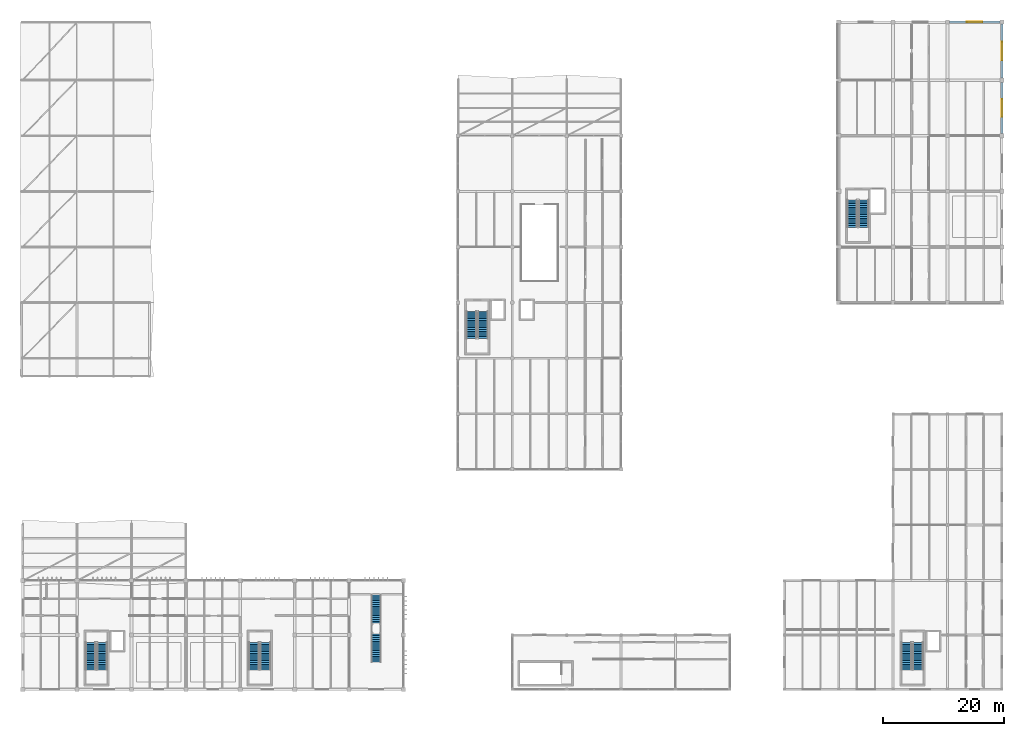
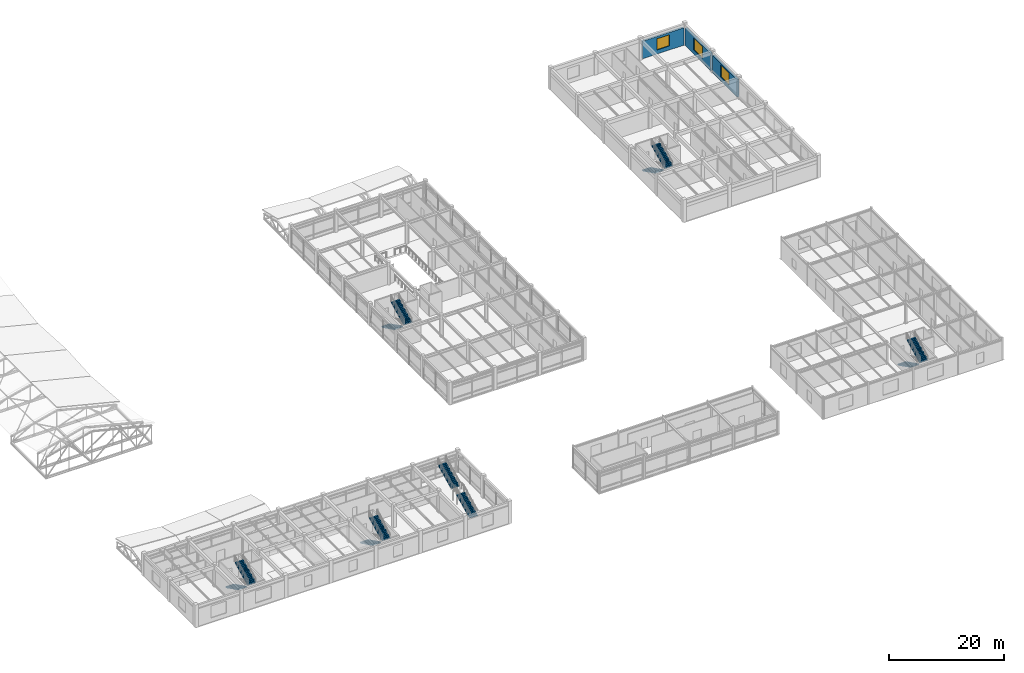
# One storey, part 52 of 61: 12 stair flights, 3 walls, 3 windows, 3 openings, 6 elements without a shape of their own.
"""IFC4 building model written with IfcOpenShell, lengths in metres."""

from ifc_helpers import new_model, si_unit, direction, frame, frame_2d, origin, place, context, subcontext, project, spatial, polyline, rectangle, outline, extrude, material, layer, layer_set, type_object, element, fill, aggregate, save


model = new_model("IFC4")

# Units and contexts
model_context = context("Model", 3, precision=1e-05, world=origin(), true_north=direction((0.0, 1.0)))
body_context = subcontext(model_context, "Body", "Model", "MODEL_VIEW")
ifc_project = project(units=[si_unit("LENGTHUNIT", "METRE"), si_unit("AREAUNIT", "SQUARE_METRE"), si_unit("VOLUMEUNIT", "CUBIC_METRE"), si_unit("PLANEANGLEUNIT", "RADIAN"), si_unit("MASSUNIT", "GRAM", prefix="KILO")], contexts=[model_context])

# Site, building, storey
site_placement = place(None, origin())
site = spatial("IfcSite", under=ifc_project, at=site_placement, CompositionType="ELEMENT")
building_placement = place(site_placement, origin())
building = spatial("IfcBuilding", under=site, at=building_placement, Name="Bozkorgan Art Gallery", CompositionType="ELEMENT")
storey_placement = place(building_placement, frame((0.0, 0.0, 10.199951171875)))
storey = spatial("IfcBuildingStorey", under=building, at=storey_placement, Name="L02", CompositionType="ELEMENT", Elevation=10.199951171875)

# Wall, opening, window
ifc_material_1 = material(Name="Pressed Terracotta Brick Masonry", Category="masonry")
ifc_layer = layer(ifc_material_1, 0.360107421875, Name="Pressed Terracotta Brick Masonry")
ifc_layer_set = layer_set([ifc_layer], Name="Pressed Terracotta Brick Masonry")
wall_type = type_object("IfcWallType", Name="WALL-WB-99", PredefinedType="STANDARD", material=ifc_layer_set)
wall_1_placement = place(storey_placement, frame((155.35009765625, 112.39990234375, 0.0), z_axis=(0.0, 0.0, 1.0), x_axis=(1.0, 0.0, 0.0)))
wall_1 = element("IfcWall", 1, at=wall_1_placement, inside=storey, type_object=wall_type, Name="V5 L02 exterior facade wall 1N-6", PredefinedType="STANDARD", context=body_context, shape_type="SweptSolid", body=[
    extrude(rectangle(XDim=8.2998046875, YDim=0.360107421875, at=frame_2d((4.14990234375, 0.0))), origin(), (0.0, 0.0, 1.0), 3.715087890625),
])
opening_1_placement = place(wall_1_placement, frame((2.875, 0.0, 0.85009765625)))
opening_1 = element("IfcOpeningElement", 2, at=opening_1_placement, cuts=wall_1, Name="Opening WN-23", PredefinedType="OPENING", context=body_context, shape_type="SweptSolid", body=[
    extrude(rectangle(XDim=2.550048828125, YDim=2.39990234375, at=frame_2d((1.27490234375, 1.199951171875))), frame((0.0, 0.18994140625, 0.0), z_axis=(0.0, -1.0, 0.0), x_axis=(1.0, 0.0, 0.0)), (0.0, 0.0, 1.0), 0.380126953125),
])
ifc_material_2 = material(Name="Triple Low-E Laminated Glass", Category="glass")
window_type_1 = type_object("IfcWindowType", Name="WIN-WN-23", PartitioningType="SINGLE_PANEL", PredefinedType="WINDOW", material=ifc_material_2)
window_1_placement = place(opening_1_placement, origin())
window_1 = element("IfcWindow", 3, at=window_1_placement, inside=storey, type_object=window_type_1, Name="V5 L02 gallery window 1N-6", OverallHeight=2.39990234375, OverallWidth=2.550048828125, PartitioningType="SINGLE_PANEL", PredefinedType="WINDOW", context=body_context, shape_type="SweptSolid", body=[
    extrude(rectangle(XDim=2.550048828125, YDim=2.39990234375, at=frame_2d((1.27490234375, 1.199951171875))), frame((0.0, 0.030029296875, 0.0), z_axis=(0.0, -1.0, 0.0), x_axis=(1.0, 0.0, 0.0)), (0.0, 0.0, 1.0), 0.06005859375),
])
fill(opening_1, window_1)

wall_2_placement = place(storey_placement, frame((164.0, 93.949951171875, 0.0), z_axis=(0.0, 0.0, 1.0), x_axis=(0.0, 1.0, 0.0)))
wall_2 = element("IfcWall", 4, at=wall_2_placement, inside=storey, type_object=wall_type, Name="V5 L02 exterior facade wall 1E-14", PredefinedType="STANDARD", context=body_context, shape_type="SweptSolid", body=[
    extrude(rectangle(XDim=8.5, YDim=0.360107421875, at=frame_2d((4.25, 0.0))), origin(), (0.0, 0.0, 1.0), 3.715087890625),
])
opening_2_placement = place(wall_2_placement, frame((5.724853515625, 0.0, 0.85009765625), z_axis=(0.0, 0.0, 1.0), x_axis=(-1.0, 0.0, 0.0)))
opening_2 = element("IfcOpeningElement", 5, at=opening_2_placement, cuts=wall_2, Name="Opening WN-40", PredefinedType="OPENING", context=body_context, shape_type="SweptSolid", body=[
    extrude(rectangle(XDim=2.949951171875, YDim=2.5, at=frame_2d((1.47509765625, 1.25))), frame((0.0, 0.18994140625, 0.0), z_axis=(0.0, -1.0, 0.0), x_axis=(1.0, 0.0, 0.0)), (0.0, 0.0, 1.0), 0.380126953125),
])
window_type_2 = type_object("IfcWindowType", Name="WIN-WN-40", PartitioningType="SINGLE_PANEL", PredefinedType="WINDOW", material=ifc_material_2)
window_2_placement = place(opening_2_placement, origin())
window_2 = element("IfcWindow", 6, at=window_2_placement, inside=storey, type_object=window_type_2, Name="V5 L02 gallery window 1E-14", OverallHeight=2.5, OverallWidth=2.949951171875, PartitioningType="SINGLE_PANEL", PredefinedType="WINDOW", context=body_context, shape_type="SweptSolid", body=[
    extrude(rectangle(XDim=2.949951171875, YDim=2.5, at=frame_2d((1.47509765625, 1.25))), frame((0.0, 0.030029296875, 0.0), z_axis=(0.0, -1.0, 0.0), x_axis=(1.0, 0.0, 0.0)), (0.0, 0.0, 1.0), 0.06005859375),
])
fill(opening_2, window_2)

wall_3_placement = place(storey_placement, frame((164.0, 103.14990234375, 0.0), z_axis=(0.0, 0.0, 1.0), x_axis=(0.0, 1.0, 0.0)))
wall_3 = element("IfcWall", 7, at=wall_3_placement, inside=storey, type_object=wall_type, Name="V5 L02 exterior facade wall 1E-16", PredefinedType="STANDARD", context=body_context, shape_type="SweptSolid", body=[
    extrude(rectangle(XDim=8.900146484375, YDim=0.360107421875, at=frame_2d((4.4501953125, 0.0))), origin(), (0.0, 0.0, 1.0), 3.715087890625),
])
opening_3_placement = place(wall_3_placement, frame((5.97509765625, 0.0, 0.85009765625), z_axis=(0.0, 0.0, 1.0), x_axis=(-1.0, 0.0, 0.0)))
opening_3 = element("IfcOpeningElement", 8, at=opening_3_placement, cuts=wall_3, Name="Opening WN-30", PredefinedType="OPENING", context=body_context, shape_type="SweptSolid", body=[
    extrude(rectangle(XDim=3.050048828125, YDim=2.550048828125, at=frame_2d((1.52490234375, 1.27490234375))), frame((0.0, 0.18994140625, 0.0), z_axis=(0.0, -1.0, 0.0), x_axis=(1.0, 0.0, 0.0)), (0.0, 0.0, 1.0), 0.380126953125),
])
window_type_3 = type_object("IfcWindowType", Name="WIN-WN-30", PartitioningType="SINGLE_PANEL", PredefinedType="WINDOW", material=ifc_material_2)
window_3_placement = place(opening_3_placement, origin())
window_3 = element("IfcWindow", 9, at=window_3_placement, inside=storey, type_object=window_type_3, Name="V5 L02 gallery window 1E-16", OverallHeight=2.550048828125, OverallWidth=3.050048828125, PartitioningType="SINGLE_PANEL", PredefinedType="WINDOW", context=body_context, shape_type="SweptSolid", body=[
    extrude(rectangle(XDim=3.050048828125, YDim=2.550048828125, at=frame_2d((1.52490234375, 1.27490234375))), frame((0.0, 0.030029296875, 0.0), z_axis=(0.0, -1.0, 0.0), x_axis=(1.0, 0.0, 0.0)), (0.0, 0.0, 1.0), 0.06005859375),
])
fill(opening_3, window_3)

# Stair, stair flights
ifc_material_3 = material(Name="Steel S355J2", Category="steel")
stair_type_1 = type_object("IfcStairType", Name="FSTAIR-ST8", PredefinedType="STRAIGHT_RUN_STAIR", material=ifc_material_3)
stair_1_placement = place(storey_placement, origin())
stair_1 = element("IfcStair", 10, at=stair_1_placement, inside=storey, type_object=stair_type_1, Name="ST8 Feature Stair (L02 to L03)", PredefinedType="STRAIGHT_RUN_STAIR")
stair_flight_type_1 = type_object("IfcStairFlightType", Name="FSFLT-ST8", PredefinedType="STRAIGHT", material=ifc_material_3)
stair_flight_1_placement = place(storey_placement, frame((60.5, 6.550048828125, 0.0), z_axis=(0.0, 0.0, 1.0), x_axis=(0.0, 1.0, 0.0)))
stair_flight_1 = element("IfcStairFlight", 11, at=stair_flight_1_placement, type_object=stair_flight_type_1, Name="ST8 lower monumental stair flight", NumberOfRisers=16, NumberOfTreads=15, PredefinedType="STRAIGHT", RiserHeight=0.15, TreadLength=0.31, context=body_context, shape_type="SweptSolid", body=[
    extrude(outline(polyline([(0.0, 0.0), (0.0, 0.14990234375), (0.31005859375, 0.14990234375), (0.31005859375, 0.300048828125), (0.6201171875, 0.300048828125), (0.6201171875, 0.449951171875), (0.929931640625, 0.449951171875), (0.929931640625, 0.60009765625), (1.239990234375, 0.60009765625), (1.239990234375, 0.75), (1.550048828125, 0.75), (1.550048828125, 0.89990234375), (1.860107421875, 0.89990234375), (1.860107421875, 1.050048828125), (2.169921875, 1.050048828125), (2.169921875, 1.199951171875), (2.47998046875, 1.199951171875), (2.47998046875, 1.35009765625), (2.7900390625, 1.35009765625), (2.7900390625, 1.5), (3.10009765625, 1.5), (3.10009765625, 1.64990234375), (3.409912109375, 1.64990234375), (3.409912109375, 1.800048828125), (3.719970703125, 1.800048828125), (3.719970703125, 1.949951171875), (4.030029296875, 1.949951171875), (4.030029296875, 2.10009765625), (4.340087890625, 2.10009765625), (4.340087890625, 2.25), (4.64990234375, 2.25), (4.64990234375, 2.39990234375), (4.64990234375, 2.005615234375), (0.505126953125, 0.0), (0.0, 0.0)])), frame((0.0, 0.800048828125, 0.0), z_axis=(0.0, -1.0, 0.0), x_axis=(1.0, 0.0, 0.0)), (0.0, 0.0, 1.0), 1.60009765625),
])
stair_flight_2_placement = place(storey_placement, frame((60.5, 12.949951171875, 2.400146484375), z_axis=(0.0, 0.0, 1.0), x_axis=(0.0, 1.0, 0.0)))
stair_flight_2 = element("IfcStairFlight", 12, at=stair_flight_2_placement, type_object=stair_flight_type_1, Name="ST8 upper monumental stair flight", NumberOfRisers=16, NumberOfTreads=15, PredefinedType="STRAIGHT", RiserHeight=0.15, TreadLength=0.31, context=body_context, shape_type="SweptSolid", body=[
    extrude(outline(polyline([(0.0, 0.0), (0.0, 0.14990234375), (0.31005859375, 0.14990234375), (0.31005859375, 0.300048828125), (0.6201171875, 0.300048828125), (0.6201171875, 0.449951171875), (0.929931640625, 0.449951171875), (0.929931640625, 0.60009765625), (1.239990234375, 0.60009765625), (1.239990234375, 0.75), (1.550048828125, 0.75), (1.550048828125, 0.89990234375), (1.860107421875, 0.89990234375), (1.860107421875, 1.050048828125), (2.169921875, 1.050048828125), (2.169921875, 1.199951171875), (2.47998046875, 1.199951171875), (2.47998046875, 1.35009765625), (2.7900390625, 1.35009765625), (2.7900390625, 1.5), (3.10009765625, 1.5), (3.10009765625, 1.64990234375), (3.409912109375, 1.64990234375), (3.409912109375, 1.800048828125), (3.719970703125, 1.800048828125), (3.719970703125, 1.949951171875), (4.030029296875, 1.949951171875), (4.030029296875, 2.10009765625), (4.340087890625, 2.10009765625), (4.340087890625, 2.25), (4.64990234375, 2.25), (4.64990234375, 2.39990234375), (4.64990234375, 2.005615234375), (0.505126953125, 0.0), (0.0, 0.0)])), frame((0.0, 0.800048828125, 0.0), z_axis=(0.0, -1.0, 0.0), x_axis=(1.0, 0.0, 0.0)), (0.0, 0.0, 1.0), 1.60009765625),
])
aggregate(stair_1, [stair_flight_1, stair_flight_2])

ifc_material_4 = material(Name="Concrete C35/45", Category="concrete")
stair_type_2 = type_object("IfcStairType", Name="STAIR-CORE1", PredefinedType="HALF_TURN_STAIR", material=ifc_material_4)
stair_2_placement = place(storey_placement, origin())
stair_2 = element("IfcStair", 13, at=stair_2_placement, inside=storey, type_object=stair_type_2, Name="L02 ST1 Core Stair", PredefinedType="HALF_TURN_STAIR")
stair_flight_type_2 = type_object("IfcStairFlightType", Name="SFLT-CORE1", PredefinedType="STRAIGHT", material=ifc_material_4)
stair_flight_3_placement = place(storey_placement, frame((13.25, 9.75, 0.0), z_axis=(0.0, 0.0, 1.0), x_axis=(0.0, -1.0, 0.0)))
stair_flight_3 = element("IfcStairFlight", 14, at=stair_flight_3_placement, type_object=stair_flight_type_2, Name="ST1 flight 1", NumberOfRisers=16, NumberOfTreads=15, PredefinedType="STRAIGHT", RiserHeight=0.15, TreadLength=0.3, context=body_context, shape_type="SweptSolid", body=[
    extrude(outline(polyline([(0.0, 0.0), (0.0, 0.14990234375), (0.300048828125, 0.14990234375), (0.300048828125, 0.300048828125), (0.60009765625, 0.300048828125), (0.60009765625, 0.449951171875), (0.89990234375, 0.449951171875), (0.89990234375, 0.60009765625), (1.199951171875, 0.60009765625), (1.199951171875, 0.75), (1.5, 0.75), (1.5, 0.89990234375), (1.800048828125, 0.89990234375), (1.800048828125, 1.050048828125), (2.10009765625, 1.050048828125), (2.10009765625, 1.199951171875), (2.39990234375, 1.199951171875), (2.39990234375, 1.35009765625), (2.699951171875, 1.35009765625), (2.699951171875, 1.5), (3.0, 1.5), (3.0, 1.64990234375), (3.300048828125, 1.64990234375), (3.300048828125, 1.800048828125), (3.60009765625, 1.800048828125), (3.60009765625, 1.949951171875), (3.89990234375, 1.949951171875), (3.89990234375, 2.10009765625), (4.199951171875, 2.10009765625), (4.199951171875, 2.25), (4.5, 2.25), (4.5, 2.39990234375), (4.5, 2.08251953125), (0.335205078125, 0.0), (0.0, 0.0)])), frame((0.0, 0.85009765625, 0.0), z_axis=(0.0, -1.0, 0.0), x_axis=(1.0, 0.0, 0.0)), (0.0, 0.0, 1.0), 1.699951171875),
])
stair_flight_4_placement = place(storey_placement, frame((15.14990234375, 5.25, 2.400146484375), z_axis=(0.0, 0.0, 1.0), x_axis=(0.0, 1.0, 0.0)))
stair_flight_4 = element("IfcStairFlight", 15, at=stair_flight_4_placement, type_object=stair_flight_type_2, Name="ST1 flight 2", NumberOfRisers=16, NumberOfTreads=15, PredefinedType="STRAIGHT", RiserHeight=0.15, TreadLength=0.3, context=body_context, shape_type="SweptSolid", body=[
    extrude(outline(polyline([(0.0, 0.0), (0.0, 0.14990234375), (0.300048828125, 0.14990234375), (0.300048828125, 0.300048828125), (0.60009765625, 0.300048828125), (0.60009765625, 0.449951171875), (0.89990234375, 0.449951171875), (0.89990234375, 0.60009765625), (1.199951171875, 0.60009765625), (1.199951171875, 0.75), (1.5, 0.75), (1.5, 0.89990234375), (1.800048828125, 0.89990234375), (1.800048828125, 1.050048828125), (2.10009765625, 1.050048828125), (2.10009765625, 1.199951171875), (2.39990234375, 1.199951171875), (2.39990234375, 1.35009765625), (2.699951171875, 1.35009765625), (2.699951171875, 1.5), (3.0, 1.5), (3.0, 1.64990234375), (3.300048828125, 1.64990234375), (3.300048828125, 1.800048828125), (3.60009765625, 1.800048828125), (3.60009765625, 1.949951171875), (3.89990234375, 1.949951171875), (3.89990234375, 2.10009765625), (4.199951171875, 2.10009765625), (4.199951171875, 2.25), (4.5, 2.25), (4.5, 2.39990234375), (4.5, 2.08251953125), (0.335205078125, 0.0), (0.0, 0.0)])), frame((0.0, 0.85009765625, 0.0), z_axis=(0.0, -1.0, 0.0), x_axis=(1.0, 0.0, 0.0)), (0.0, 0.0, 1.0), 1.699951171875),
])
aggregate(stair_2, [stair_flight_3, stair_flight_4])

stair_type_3 = type_object("IfcStairType", Name="STAIR-CORE2", PredefinedType="HALF_TURN_STAIR", material=ifc_material_4)
stair_3_placement = place(storey_placement, origin())
stair_3 = element("IfcStair", 16, at=stair_3_placement, inside=storey, type_object=stair_type_3, Name="L02 ST2 Core Stair", PredefinedType="HALF_TURN_STAIR")
stair_flight_type_3 = type_object("IfcStairFlightType", Name="SFLT-CORE2", PredefinedType="STRAIGHT", material=ifc_material_4)
stair_flight_5_placement = place(storey_placement, frame((76.25, 64.550048828125, 0.0), z_axis=(0.0, 0.0, 1.0), x_axis=(0.0, -1.0, 0.0)))
stair_flight_5 = element("IfcStairFlight", 17, at=stair_flight_5_placement, type_object=stair_flight_type_3, Name="ST2 flight 1", NumberOfRisers=16, NumberOfTreads=15, PredefinedType="STRAIGHT", RiserHeight=0.15, TreadLength=0.3, context=body_context, shape_type="SweptSolid", body=[
    extrude(outline(polyline([(0.0, 0.0), (0.0, 0.14990234375), (0.300048828125, 0.14990234375), (0.300048828125, 0.300048828125), (0.60009765625, 0.300048828125), (0.60009765625, 0.449951171875), (0.89990234375, 0.449951171875), (0.89990234375, 0.60009765625), (1.199951171875, 0.60009765625), (1.199951171875, 0.75), (1.5, 0.75), (1.5, 0.89990234375), (1.800048828125, 0.89990234375), (1.800048828125, 1.050048828125), (2.10009765625, 1.050048828125), (2.10009765625, 1.199951171875), (2.39990234375, 1.199951171875), (2.39990234375, 1.35009765625), (2.699951171875, 1.35009765625), (2.699951171875, 1.5), (3.0, 1.5), (3.0, 1.64990234375), (3.300048828125, 1.64990234375), (3.300048828125, 1.800048828125), (3.60009765625, 1.800048828125), (3.60009765625, 1.949951171875), (3.89990234375, 1.949951171875), (3.89990234375, 2.10009765625), (4.199951171875, 2.10009765625), (4.199951171875, 2.25), (4.5, 2.25), (4.5, 2.39990234375), (4.5, 2.08251953125), (0.335205078125, 0.0), (0.0, 0.0)])), frame((0.0, 0.85009765625, 0.0), z_axis=(0.0, -1.0, 0.0), x_axis=(1.0, 0.0, 0.0)), (0.0, 0.0, 1.0), 1.699951171875),
])
stair_flight_6_placement = place(storey_placement, frame((78.14990234375, 60.050048828125, 2.400146484375), z_axis=(0.0, 0.0, 1.0), x_axis=(0.0, 1.0, 0.0)))
stair_flight_6 = element("IfcStairFlight", 18, at=stair_flight_6_placement, type_object=stair_flight_type_3, Name="ST2 flight 2", NumberOfRisers=16, NumberOfTreads=15, PredefinedType="STRAIGHT", RiserHeight=0.15, TreadLength=0.3, context=body_context, shape_type="SweptSolid", body=[
    extrude(outline(polyline([(0.0, 0.0), (0.0, 0.14990234375), (0.300048828125, 0.14990234375), (0.300048828125, 0.300048828125), (0.60009765625, 0.300048828125), (0.60009765625, 0.449951171875), (0.89990234375, 0.449951171875), (0.89990234375, 0.60009765625), (1.199951171875, 0.60009765625), (1.199951171875, 0.75), (1.5, 0.75), (1.5, 0.89990234375), (1.800048828125, 0.89990234375), (1.800048828125, 1.050048828125), (2.10009765625, 1.050048828125), (2.10009765625, 1.199951171875), (2.39990234375, 1.199951171875), (2.39990234375, 1.35009765625), (2.699951171875, 1.35009765625), (2.699951171875, 1.5), (3.0, 1.5), (3.0, 1.64990234375), (3.300048828125, 1.64990234375), (3.300048828125, 1.800048828125), (3.60009765625, 1.800048828125), (3.60009765625, 1.949951171875), (3.89990234375, 1.949951171875), (3.89990234375, 2.10009765625), (4.199951171875, 2.10009765625), (4.199951171875, 2.25), (4.5, 2.25), (4.5, 2.39990234375), (4.5, 2.08251953125), (0.335205078125, 0.0), (0.0, 0.0)])), frame((0.0, 0.85009765625, 0.0), z_axis=(0.0, -1.0, 0.0), x_axis=(1.0, 0.0, 0.0)), (0.0, 0.0, 1.0), 1.699951171875),
])
aggregate(stair_3, [stair_flight_5, stair_flight_6])

stair_type_4 = type_object("IfcStairType", Name="STAIR-CORE3", PredefinedType="HALF_TURN_STAIR", material=ifc_material_4)
stair_4_placement = place(storey_placement, origin())
stair_4 = element("IfcStair", 19, at=stair_4_placement, inside=storey, type_object=stair_type_4, Name="L02 ST3 Core Stair", PredefinedType="HALF_TURN_STAIR")
stair_flight_type_4 = type_object("IfcStairFlightType", Name="SFLT-CORE3", PredefinedType="STRAIGHT", material=ifc_material_4)
stair_flight_7_placement = place(storey_placement, frame((139.25, 82.949951171875, 0.0), z_axis=(0.0, 0.0, 1.0), x_axis=(0.0, -1.0, 0.0)))
stair_flight_7 = element("IfcStairFlight", 20, at=stair_flight_7_placement, type_object=stair_flight_type_4, Name="ST3 flight 1", NumberOfRisers=16, NumberOfTreads=15, PredefinedType="STRAIGHT", RiserHeight=0.15, TreadLength=0.3, context=body_context, shape_type="SweptSolid", body=[
    extrude(outline(polyline([(0.0, 0.0), (0.0, 0.14990234375), (0.300048828125, 0.14990234375), (0.300048828125, 0.300048828125), (0.60009765625, 0.300048828125), (0.60009765625, 0.449951171875), (0.89990234375, 0.449951171875), (0.89990234375, 0.60009765625), (1.199951171875, 0.60009765625), (1.199951171875, 0.75), (1.5, 0.75), (1.5, 0.89990234375), (1.800048828125, 0.89990234375), (1.800048828125, 1.050048828125), (2.10009765625, 1.050048828125), (2.10009765625, 1.199951171875), (2.39990234375, 1.199951171875), (2.39990234375, 1.35009765625), (2.699951171875, 1.35009765625), (2.699951171875, 1.5), (3.0, 1.5), (3.0, 1.64990234375), (3.300048828125, 1.64990234375), (3.300048828125, 1.800048828125), (3.60009765625, 1.800048828125), (3.60009765625, 1.949951171875), (3.89990234375, 1.949951171875), (3.89990234375, 2.10009765625), (4.199951171875, 2.10009765625), (4.199951171875, 2.25), (4.5, 2.25), (4.5, 2.39990234375), (4.5, 2.08251953125), (0.335205078125, 0.0), (0.0, 0.0)])), frame((0.0, 0.85009765625, 0.0), z_axis=(0.0, -1.0, 0.0), x_axis=(1.0, 0.0, 0.0)), (0.0, 0.0, 1.0), 1.699951171875),
])
stair_flight_8_placement = place(storey_placement, frame((141.14990234375, 78.449951171875, 2.400146484375), z_axis=(0.0, 0.0, 1.0), x_axis=(0.0, 1.0, 0.0)))
stair_flight_8 = element("IfcStairFlight", 21, at=stair_flight_8_placement, type_object=stair_flight_type_4, Name="ST3 flight 2", NumberOfRisers=16, NumberOfTreads=15, PredefinedType="STRAIGHT", RiserHeight=0.15, TreadLength=0.3, context=body_context, shape_type="SweptSolid", body=[
    extrude(outline(polyline([(0.0, 0.0), (0.0, 0.14990234375), (0.300048828125, 0.14990234375), (0.300048828125, 0.300048828125), (0.60009765625, 0.300048828125), (0.60009765625, 0.449951171875), (0.89990234375, 0.449951171875), (0.89990234375, 0.60009765625), (1.199951171875, 0.60009765625), (1.199951171875, 0.75), (1.5, 0.75), (1.5, 0.89990234375), (1.800048828125, 0.89990234375), (1.800048828125, 1.050048828125), (2.10009765625, 1.050048828125), (2.10009765625, 1.199951171875), (2.39990234375, 1.199951171875), (2.39990234375, 1.35009765625), (2.699951171875, 1.35009765625), (2.699951171875, 1.5), (3.0, 1.5), (3.0, 1.64990234375), (3.300048828125, 1.64990234375), (3.300048828125, 1.800048828125), (3.60009765625, 1.800048828125), (3.60009765625, 1.949951171875), (3.89990234375, 1.949951171875), (3.89990234375, 2.10009765625), (4.199951171875, 2.10009765625), (4.199951171875, 2.25), (4.5, 2.25), (4.5, 2.39990234375), (4.5, 2.08251953125), (0.335205078125, 0.0), (0.0, 0.0)])), frame((0.0, 0.85009765625, 0.0), z_axis=(0.0, -1.0, 0.0), x_axis=(1.0, 0.0, 0.0)), (0.0, 0.0, 1.0), 1.699951171875),
])
aggregate(stair_4, [stair_flight_7, stair_flight_8])

stair_type_5 = type_object("IfcStairType", Name="STAIR-CORE4", PredefinedType="HALF_TURN_STAIR", material=ifc_material_4)
stair_5_placement = place(storey_placement, origin())
stair_5 = element("IfcStair", 22, at=stair_5_placement, inside=storey, type_object=stair_type_5, Name="L02 ST4 Core Stair", PredefinedType="HALF_TURN_STAIR")
stair_flight_type_5 = type_object("IfcStairFlightType", Name="SFLT-CORE4", PredefinedType="STRAIGHT", material=ifc_material_4)
stair_flight_9_placement = place(storey_placement, frame((148.25, 9.75, 0.0), z_axis=(0.0, 0.0, 1.0), x_axis=(0.0, -1.0, 0.0)))
stair_flight_9 = element("IfcStairFlight", 23, at=stair_flight_9_placement, type_object=stair_flight_type_5, Name="ST4 flight 1", NumberOfRisers=16, NumberOfTreads=15, PredefinedType="STRAIGHT", RiserHeight=0.15, TreadLength=0.3, context=body_context, shape_type="SweptSolid", body=[
    extrude(outline(polyline([(0.0, 0.0), (0.0, 0.14990234375), (0.300048828125, 0.14990234375), (0.300048828125, 0.300048828125), (0.60009765625, 0.300048828125), (0.60009765625, 0.449951171875), (0.89990234375, 0.449951171875), (0.89990234375, 0.60009765625), (1.199951171875, 0.60009765625), (1.199951171875, 0.75), (1.5, 0.75), (1.5, 0.89990234375), (1.800048828125, 0.89990234375), (1.800048828125, 1.050048828125), (2.10009765625, 1.050048828125), (2.10009765625, 1.199951171875), (2.39990234375, 1.199951171875), (2.39990234375, 1.35009765625), (2.699951171875, 1.35009765625), (2.699951171875, 1.5), (3.0, 1.5), (3.0, 1.64990234375), (3.300048828125, 1.64990234375), (3.300048828125, 1.800048828125), (3.60009765625, 1.800048828125), (3.60009765625, 1.949951171875), (3.89990234375, 1.949951171875), (3.89990234375, 2.10009765625), (4.199951171875, 2.10009765625), (4.199951171875, 2.25), (4.5, 2.25), (4.5, 2.39990234375), (4.5, 2.08251953125), (0.335205078125, 0.0), (0.0, 0.0)])), frame((0.0, 0.85009765625, 0.0), z_axis=(0.0, -1.0, 0.0), x_axis=(1.0, 0.0, 0.0)), (0.0, 0.0, 1.0), 1.699951171875),
])
stair_flight_10_placement = place(storey_placement, frame((150.14990234375, 5.25, 2.400146484375), z_axis=(0.0, 0.0, 1.0), x_axis=(0.0, 1.0, 0.0)))
stair_flight_10 = element("IfcStairFlight", 24, at=stair_flight_10_placement, type_object=stair_flight_type_5, Name="ST4 flight 2", NumberOfRisers=16, NumberOfTreads=15, PredefinedType="STRAIGHT", RiserHeight=0.15, TreadLength=0.3, context=body_context, shape_type="SweptSolid", body=[
    extrude(outline(polyline([(0.0, 0.0), (0.0, 0.14990234375), (0.300048828125, 0.14990234375), (0.300048828125, 0.300048828125), (0.60009765625, 0.300048828125), (0.60009765625, 0.449951171875), (0.89990234375, 0.449951171875), (0.89990234375, 0.60009765625), (1.199951171875, 0.60009765625), (1.199951171875, 0.75), (1.5, 0.75), (1.5, 0.89990234375), (1.800048828125, 0.89990234375), (1.800048828125, 1.050048828125), (2.10009765625, 1.050048828125), (2.10009765625, 1.199951171875), (2.39990234375, 1.199951171875), (2.39990234375, 1.35009765625), (2.699951171875, 1.35009765625), (2.699951171875, 1.5), (3.0, 1.5), (3.0, 1.64990234375), (3.300048828125, 1.64990234375), (3.300048828125, 1.800048828125), (3.60009765625, 1.800048828125), (3.60009765625, 1.949951171875), (3.89990234375, 1.949951171875), (3.89990234375, 2.10009765625), (4.199951171875, 2.10009765625), (4.199951171875, 2.25), (4.5, 2.25), (4.5, 2.39990234375), (4.5, 2.08251953125), (0.335205078125, 0.0), (0.0, 0.0)])), frame((0.0, 0.85009765625, 0.0), z_axis=(0.0, -1.0, 0.0), x_axis=(1.0, 0.0, 0.0)), (0.0, 0.0, 1.0), 1.699951171875),
])
aggregate(stair_5, [stair_flight_9, stair_flight_10])

stair_type_6 = type_object("IfcStairType", Name="STAIR-CORE7", PredefinedType="HALF_TURN_STAIR", material=ifc_material_4)
stair_6_placement = place(storey_placement, origin())
stair_6 = element("IfcStair", 25, at=stair_6_placement, inside=storey, type_object=stair_type_6, Name="L02 ST12 Core Stair", PredefinedType="HALF_TURN_STAIR")
stair_flight_type_6 = type_object("IfcStairFlightType", Name="SFLT-CORE7", PredefinedType="STRAIGHT", material=ifc_material_4)
stair_flight_11_placement = place(storey_placement, frame((40.25, 9.75, 0.0), z_axis=(0.0, 0.0, 1.0), x_axis=(0.0, -1.0, 0.0)))
stair_flight_11 = element("IfcStairFlight", 26, at=stair_flight_11_placement, type_object=stair_flight_type_6, Name="ST12 flight 1", NumberOfRisers=16, NumberOfTreads=15, PredefinedType="STRAIGHT", RiserHeight=0.15, TreadLength=0.3, context=body_context, shape_type="SweptSolid", body=[
    extrude(outline(polyline([(0.0, 0.0), (0.0, 0.14990234375), (0.300048828125, 0.14990234375), (0.300048828125, 0.300048828125), (0.60009765625, 0.300048828125), (0.60009765625, 0.449951171875), (0.89990234375, 0.449951171875), (0.89990234375, 0.60009765625), (1.199951171875, 0.60009765625), (1.199951171875, 0.75), (1.5, 0.75), (1.5, 0.89990234375), (1.800048828125, 0.89990234375), (1.800048828125, 1.050048828125), (2.10009765625, 1.050048828125), (2.10009765625, 1.199951171875), (2.39990234375, 1.199951171875), (2.39990234375, 1.35009765625), (2.699951171875, 1.35009765625), (2.699951171875, 1.5), (3.0, 1.5), (3.0, 1.64990234375), (3.300048828125, 1.64990234375), (3.300048828125, 1.800048828125), (3.60009765625, 1.800048828125), (3.60009765625, 1.949951171875), (3.89990234375, 1.949951171875), (3.89990234375, 2.10009765625), (4.199951171875, 2.10009765625), (4.199951171875, 2.25), (4.5, 2.25), (4.5, 2.39990234375), (4.5, 2.08251953125), (0.335205078125, 0.0), (0.0, 0.0)])), frame((0.0, 0.85009765625, 0.0), z_axis=(0.0, -1.0, 0.0), x_axis=(1.0, 0.0, 0.0)), (0.0, 0.0, 1.0), 1.699951171875),
])
stair_flight_12_placement = place(storey_placement, frame((42.14990234375, 5.25, 2.400146484375), z_axis=(0.0, 0.0, 1.0), x_axis=(0.0, 1.0, 0.0)))
stair_flight_12 = element("IfcStairFlight", 27, at=stair_flight_12_placement, type_object=stair_flight_type_6, Name="ST12 flight 2", NumberOfRisers=16, NumberOfTreads=15, PredefinedType="STRAIGHT", RiserHeight=0.15, TreadLength=0.3, context=body_context, shape_type="SweptSolid", body=[
    extrude(outline(polyline([(0.0, 0.0), (0.0, 0.14990234375), (0.300048828125, 0.14990234375), (0.300048828125, 0.300048828125), (0.60009765625, 0.300048828125), (0.60009765625, 0.449951171875), (0.89990234375, 0.449951171875), (0.89990234375, 0.60009765625), (1.199951171875, 0.60009765625), (1.199951171875, 0.75), (1.5, 0.75), (1.5, 0.89990234375), (1.800048828125, 0.89990234375), (1.800048828125, 1.050048828125), (2.10009765625, 1.050048828125), (2.10009765625, 1.199951171875), (2.39990234375, 1.199951171875), (2.39990234375, 1.35009765625), (2.699951171875, 1.35009765625), (2.699951171875, 1.5), (3.0, 1.5), (3.0, 1.64990234375), (3.300048828125, 1.64990234375), (3.300048828125, 1.800048828125), (3.60009765625, 1.800048828125), (3.60009765625, 1.949951171875), (3.89990234375, 1.949951171875), (3.89990234375, 2.10009765625), (4.199951171875, 2.10009765625), (4.199951171875, 2.25), (4.5, 2.25), (4.5, 2.39990234375), (4.5, 2.08251953125), (0.335205078125, 0.0), (0.0, 0.0)])), frame((0.0, 0.85009765625, 0.0), z_axis=(0.0, -1.0, 0.0), x_axis=(1.0, 0.0, 0.0)), (0.0, 0.0, 1.0), 1.699951171875),
])
aggregate(stair_6, [stair_flight_11, stair_flight_12])

save(model, "model.ifc")
